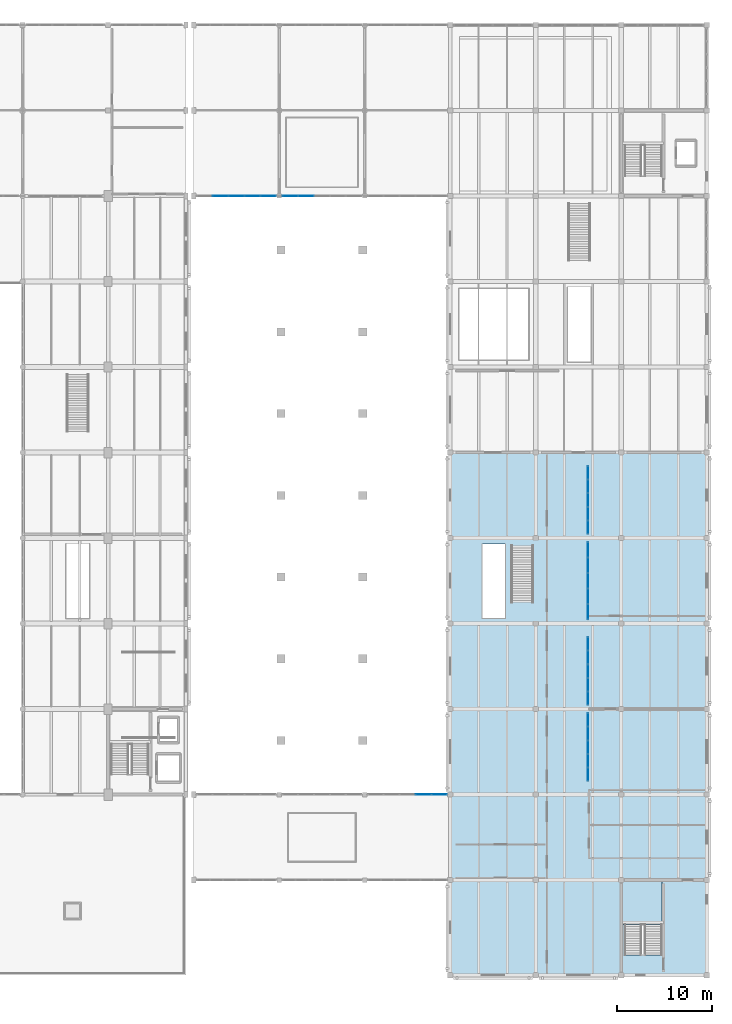
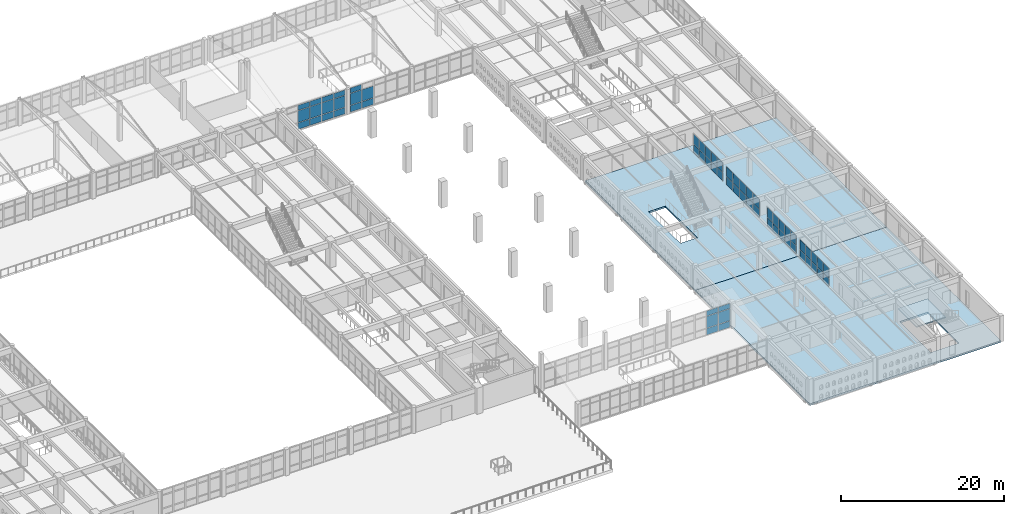
# One storey, part 120 of 156: 63 plates, 3 slabs, 8 elements without a shape of their own.
"""IFC4 building model written with IfcOpenShell, lengths in metres."""

from ifc_helpers import new_model, si_unit, direction, frame, origin, origin_2d, place, context, subcontext, project, spatial, polyline, rectangle, outline, extrude, material, layer, layer_set, type_object, element, aggregate, save


model = new_model("IFC4")

# Units and contexts
model_context = context("Model", 3, precision=1e-05, world=origin(), true_north=direction((0.0, 1.0)))
body_context = subcontext(model_context, "Body", "Model", "MODEL_VIEW")
ifc_project = project(units=[si_unit("LENGTHUNIT", "METRE"), si_unit("AREAUNIT", "SQUARE_METRE"), si_unit("VOLUMEUNIT", "CUBIC_METRE"), si_unit("PLANEANGLEUNIT", "RADIAN"), si_unit("MASSUNIT", "GRAM", prefix="KILO")], contexts=[model_context])

# Site, building, storey
site_placement = place(None, origin())
site = spatial("IfcSite", under=ifc_project, at=site_placement, CompositionType="ELEMENT")
building_placement = place(site_placement, origin())
building = spatial("IfcBuilding", under=site, at=building_placement, Name="Ornek Quay Market", CompositionType="ELEMENT")
storey_placement = place(building_placement, frame((0.0, 0.0, 4.5)))
storey = spatial("IfcBuildingStorey", under=building, at=storey_placement, Name="L01", CompositionType="ELEMENT", Elevation=4.5)

# Curtain wall, plates
ifc_material_1 = material(Name="Anodised bronze aluminium and triple low-e glass", Category="aluminium")
ifc_layer_1 = layer(ifc_material_1, 0.139892578125, Name="Anodised bronze aluminium and triple low-e glass", Category="aluminium")
ifc_layer_set_1 = layer_set([ifc_layer_1], Name="Anodised bronze aluminium and triple low-e glass")
curtain_wall_type_1 = type_object("IfcCurtainWallType", Name="CW-GALLERY-INT", PredefinedType="USERDEFINED", material=ifc_layer_set_1)
curtain_wall_1_placement = place(storey_placement, origin())
curtain_wall_1 = element("IfcCurtainWall", 1, at=curtain_wall_1_placement, inside=storey, type_object=curtain_wall_type_1, Name="Curtain wall CW-163", ObjectType="CURTAIN WALL", PredefinedType="USERDEFINED")
ifc_material_2 = material(Name="Toughened laminated acoustic glass", Category="glass")
ifc_layer_2 = layer(ifc_material_2, 0.01611328125, Name="Toughened laminated acoustic glass", Category="glass")
ifc_layer_set_2 = layer_set([ifc_layer_2], Name="Toughened laminated acoustic glass")
plate_type_1 = type_object("IfcPlateType", Name="PL-CW-INT-16", PredefinedType="CURTAIN_PANEL", material=ifc_layer_set_2)
plate_1_placement = place(storey_placement, frame((167.5, 31.135009765625, 0.06005859375), z_axis=(0.0, 0.0, 1.0), x_axis=(0.0, 1.0, 0.0)))
plate_1 = element("IfcPlate", 2, at=plate_1_placement, type_object=plate_type_1, Name="CW-163 panel 1.1", PredefinedType="CURTAIN_PANEL", context=body_context, shape_type="SweptSolid", body=[
    extrude(rectangle(XDim=1.35009765625, YDim=0.01611328125, at=origin_2d()), origin(), (0.0, 0.0, 1.0), 1.1923828125),
])
plate_2_placement = place(storey_placement, frame((167.5, 31.135009765625, 1.3125), z_axis=(0.0, 0.0, 1.0), x_axis=(0.0, 1.0, 0.0)))
plate_2 = element("IfcPlate", 3, at=plate_2_placement, type_object=plate_type_1, Name="CW-163 panel 1.2", PredefinedType="CURTAIN_PANEL", context=body_context, shape_type="SweptSolid", body=[
    extrude(rectangle(XDim=1.35009765625, YDim=0.01611328125, at=origin_2d()), origin(), (0.0, 0.0, 1.0), 1.4775390625),
])
plate_3_placement = place(storey_placement, frame((167.5, 32.56005859375, 0.06005859375), z_axis=(0.0, 0.0, 1.0), x_axis=(0.0, 1.0, 0.0)))
plate_3 = element("IfcPlate", 4, at=plate_3_placement, type_object=plate_type_1, Name="CW-163 panel 2.1", PredefinedType="CURTAIN_PANEL", context=body_context, shape_type="SweptSolid", body=[
    extrude(rectangle(XDim=1.3798828125, YDim=0.01611328125, at=origin_2d()), origin(), (0.0, 0.0, 1.0), 1.1923828125),
])
plate_4_placement = place(storey_placement, frame((167.5, 32.56005859375, 1.3125), z_axis=(0.0, 0.0, 1.0), x_axis=(0.0, 1.0, 0.0)))
plate_4 = element("IfcPlate", 5, at=plate_4_placement, type_object=plate_type_1, Name="CW-163 panel 2.2", PredefinedType="CURTAIN_PANEL", context=body_context, shape_type="SweptSolid", body=[
    extrude(rectangle(XDim=1.3798828125, YDim=0.01611328125, at=origin_2d()), origin(), (0.0, 0.0, 1.0), 1.4775390625),
])
plate_5_placement = place(storey_placement, frame((167.5, 34.0, 0.06005859375), z_axis=(0.0, 0.0, 1.0), x_axis=(0.0, 1.0, 0.0)))
plate_5 = element("IfcPlate", 6, at=plate_5_placement, type_object=plate_type_1, Name="CW-163 panel 3.1", PredefinedType="CURTAIN_PANEL", context=body_context, shape_type="SweptSolid", body=[
    extrude(rectangle(XDim=1.3798828125, YDim=0.01611328125, at=origin_2d()), origin(), (0.0, 0.0, 1.0), 1.1923828125),
])
plate_6_placement = place(storey_placement, frame((167.5, 34.0, 1.3125), z_axis=(0.0, 0.0, 1.0), x_axis=(0.0, 1.0, 0.0)))
plate_6 = element("IfcPlate", 7, at=plate_6_placement, type_object=plate_type_1, Name="CW-163 panel 3.2", PredefinedType="CURTAIN_PANEL", context=body_context, shape_type="SweptSolid", body=[
    extrude(rectangle(XDim=1.3798828125, YDim=0.01611328125, at=origin_2d()), origin(), (0.0, 0.0, 1.0), 1.4775390625),
])
plate_7_placement = place(storey_placement, frame((167.5, 35.43994140625, 0.06005859375), z_axis=(0.0, 0.0, 1.0), x_axis=(0.0, 1.0, 0.0)))
plate_7 = element("IfcPlate", 8, at=plate_7_placement, type_object=plate_type_1, Name="CW-163 panel 4.1", PredefinedType="CURTAIN_PANEL", context=body_context, shape_type="SweptSolid", body=[
    extrude(rectangle(XDim=1.3798828125, YDim=0.01611328125, at=origin_2d()), origin(), (0.0, 0.0, 1.0), 1.1923828125),
])
plate_8_placement = place(storey_placement, frame((167.5, 35.43994140625, 1.3125), z_axis=(0.0, 0.0, 1.0), x_axis=(0.0, 1.0, 0.0)))
plate_8 = element("IfcPlate", 9, at=plate_8_placement, type_object=plate_type_1, Name="CW-163 panel 4.2", PredefinedType="CURTAIN_PANEL", context=body_context, shape_type="SweptSolid", body=[
    extrude(rectangle(XDim=1.3798828125, YDim=0.01611328125, at=origin_2d()), origin(), (0.0, 0.0, 1.0), 1.4775390625),
])
plate_9_placement = place(storey_placement, frame((167.5, 36.864990234375, 0.06005859375), z_axis=(0.0, 0.0, 1.0), x_axis=(0.0, 1.0, 0.0)))
plate_9 = element("IfcPlate", 10, at=plate_9_placement, type_object=plate_type_1, Name="CW-163 panel 5.1", PredefinedType="CURTAIN_PANEL", context=body_context, shape_type="SweptSolid", body=[
    extrude(rectangle(XDim=1.35009765625, YDim=0.01611328125, at=origin_2d()), origin(), (0.0, 0.0, 1.0), 1.1923828125),
])
plate_10_placement = place(storey_placement, frame((167.5, 36.864990234375, 1.3125), z_axis=(0.0, 0.0, 1.0), x_axis=(0.0, 1.0, 0.0)))
plate_10 = element("IfcPlate", 11, at=plate_10_placement, type_object=plate_type_1, Name="CW-163 panel 5.2", PredefinedType="CURTAIN_PANEL", context=body_context, shape_type="SweptSolid", body=[
    extrude(rectangle(XDim=1.35009765625, YDim=0.01611328125, at=origin_2d()), origin(), (0.0, 0.0, 1.0), 1.4775390625),
])
aggregate(curtain_wall_1, [plate_1, plate_2, plate_3, plate_4, plate_5, plate_6, plate_7, plate_8, plate_9, plate_10])

curtain_wall_2_placement = place(storey_placement, origin())
curtain_wall_2 = element("IfcCurtainWall", 12, at=curtain_wall_2_placement, inside=storey, type_object=curtain_wall_type_1, Name="Curtain wall CW-164", ObjectType="CURTAIN WALL", PredefinedType="USERDEFINED")
plate_11_placement = place(storey_placement, frame((167.5, 39.135009765625, 0.06005859375), z_axis=(0.0, 0.0, 1.0), x_axis=(0.0, 1.0, 0.0)))
plate_11 = element("IfcPlate", 13, at=plate_11_placement, type_object=plate_type_1, Name="CW-164 panel 1.1", PredefinedType="CURTAIN_PANEL", context=body_context, shape_type="SweptSolid", body=[
    extrude(rectangle(XDim=1.35009765625, YDim=0.01611328125, at=origin_2d()), origin(), (0.0, 0.0, 1.0), 1.1923828125),
])
plate_12_placement = place(storey_placement, frame((167.5, 39.135009765625, 1.3125), z_axis=(0.0, 0.0, 1.0), x_axis=(0.0, 1.0, 0.0)))
plate_12 = element("IfcPlate", 14, at=plate_12_placement, type_object=plate_type_1, Name="CW-164 panel 1.2", PredefinedType="CURTAIN_PANEL", context=body_context, shape_type="SweptSolid", body=[
    extrude(rectangle(XDim=1.35009765625, YDim=0.01611328125, at=origin_2d()), origin(), (0.0, 0.0, 1.0), 1.4775390625),
])
plate_13_placement = place(storey_placement, frame((167.5, 40.56005859375, 0.06005859375), z_axis=(0.0, 0.0, 1.0), x_axis=(0.0, 1.0, 0.0)))
plate_13 = element("IfcPlate", 15, at=plate_13_placement, type_object=plate_type_1, Name="CW-164 panel 2.1", PredefinedType="CURTAIN_PANEL", context=body_context, shape_type="SweptSolid", body=[
    extrude(rectangle(XDim=1.3798828125, YDim=0.01611328125, at=origin_2d()), origin(), (0.0, 0.0, 1.0), 1.1923828125),
])
plate_14_placement = place(storey_placement, frame((167.5, 40.56005859375, 1.3125), z_axis=(0.0, 0.0, 1.0), x_axis=(0.0, 1.0, 0.0)))
plate_14 = element("IfcPlate", 16, at=plate_14_placement, type_object=plate_type_1, Name="CW-164 panel 2.2", PredefinedType="CURTAIN_PANEL", context=body_context, shape_type="SweptSolid", body=[
    extrude(rectangle(XDim=1.3798828125, YDim=0.01611328125, at=origin_2d()), origin(), (0.0, 0.0, 1.0), 1.4775390625),
])
plate_15_placement = place(storey_placement, frame((167.5, 42.0, 0.06005859375), z_axis=(0.0, 0.0, 1.0), x_axis=(0.0, 1.0, 0.0)))
plate_15 = element("IfcPlate", 17, at=plate_15_placement, type_object=plate_type_1, Name="CW-164 panel 3.1", PredefinedType="CURTAIN_PANEL", context=body_context, shape_type="SweptSolid", body=[
    extrude(rectangle(XDim=1.3798828125, YDim=0.01611328125, at=origin_2d()), origin(), (0.0, 0.0, 1.0), 1.1923828125),
])
plate_16_placement = place(storey_placement, frame((167.5, 42.0, 1.3125), z_axis=(0.0, 0.0, 1.0), x_axis=(0.0, 1.0, 0.0)))
plate_16 = element("IfcPlate", 18, at=plate_16_placement, type_object=plate_type_1, Name="CW-164 panel 3.2", PredefinedType="CURTAIN_PANEL", context=body_context, shape_type="SweptSolid", body=[
    extrude(rectangle(XDim=1.3798828125, YDim=0.01611328125, at=origin_2d()), origin(), (0.0, 0.0, 1.0), 1.4775390625),
])
plate_17_placement = place(storey_placement, frame((167.5, 43.43994140625, 0.06005859375), z_axis=(0.0, 0.0, 1.0), x_axis=(0.0, 1.0, 0.0)))
plate_17 = element("IfcPlate", 19, at=plate_17_placement, type_object=plate_type_1, Name="CW-164 panel 4.1", PredefinedType="CURTAIN_PANEL", context=body_context, shape_type="SweptSolid", body=[
    extrude(rectangle(XDim=1.3798828125, YDim=0.01611328125, at=origin_2d()), origin(), (0.0, 0.0, 1.0), 1.1923828125),
])
plate_18_placement = place(storey_placement, frame((167.5, 43.43994140625, 1.3125), z_axis=(0.0, 0.0, 1.0), x_axis=(0.0, 1.0, 0.0)))
plate_18 = element("IfcPlate", 20, at=plate_18_placement, type_object=plate_type_1, Name="CW-164 panel 4.2", PredefinedType="CURTAIN_PANEL", context=body_context, shape_type="SweptSolid", body=[
    extrude(rectangle(XDim=1.3798828125, YDim=0.01611328125, at=origin_2d()), origin(), (0.0, 0.0, 1.0), 1.4775390625),
])
plate_19_placement = place(storey_placement, frame((167.5, 44.864990234375, 0.06005859375), z_axis=(0.0, 0.0, 1.0), x_axis=(0.0, 1.0, 0.0)))
plate_19 = element("IfcPlate", 21, at=plate_19_placement, type_object=plate_type_1, Name="CW-164 panel 5.1", PredefinedType="CURTAIN_PANEL", context=body_context, shape_type="SweptSolid", body=[
    extrude(rectangle(XDim=1.35009765625, YDim=0.01611328125, at=origin_2d()), origin(), (0.0, 0.0, 1.0), 1.1923828125),
])
plate_20_placement = place(storey_placement, frame((167.5, 44.864990234375, 1.3125), z_axis=(0.0, 0.0, 1.0), x_axis=(0.0, 1.0, 0.0)))
plate_20 = element("IfcPlate", 22, at=plate_20_placement, type_object=plate_type_1, Name="CW-164 panel 5.2", PredefinedType="CURTAIN_PANEL", context=body_context, shape_type="SweptSolid", body=[
    extrude(rectangle(XDim=1.35009765625, YDim=0.01611328125, at=origin_2d()), origin(), (0.0, 0.0, 1.0), 1.4775390625),
])
aggregate(curtain_wall_2, [plate_11, plate_12, plate_13, plate_14, plate_15, plate_16, plate_17, plate_18, plate_19, plate_20])

curtain_wall_3_placement = place(storey_placement, origin())
curtain_wall_3 = element("IfcCurtainWall", 23, at=curtain_wall_3_placement, inside=storey, type_object=curtain_wall_type_1, Name="Curtain wall CW-165", ObjectType="CURTAIN WALL", PredefinedType="USERDEFINED")
plate_21_placement = place(storey_placement, frame((167.5, 48.235107421875, 0.06005859375), z_axis=(0.0, 0.0, 1.0), x_axis=(0.0, 1.0, 0.0)))
plate_21 = element("IfcPlate", 24, at=plate_21_placement, type_object=plate_type_1, Name="CW-165 panel 1.1", PredefinedType="CURTAIN_PANEL", context=body_context, shape_type="SweptSolid", body=[
    extrude(rectangle(XDim=1.550048828125, YDim=0.01611328125, at=origin_2d()), origin(), (0.0, 0.0, 1.0), 1.1923828125),
])
plate_22_placement = place(storey_placement, frame((167.5, 48.235107421875, 1.3125), z_axis=(0.0, 0.0, 1.0), x_axis=(0.0, 1.0, 0.0)))
plate_22 = element("IfcPlate", 25, at=plate_22_placement, type_object=plate_type_1, Name="CW-165 panel 1.2", PredefinedType="CURTAIN_PANEL", context=body_context, shape_type="SweptSolid", body=[
    extrude(rectangle(XDim=1.550048828125, YDim=0.01611328125, at=origin_2d()), origin(), (0.0, 0.0, 1.0), 1.4775390625),
])
plate_23_placement = place(storey_placement, frame((167.5, 49.860107421875, 0.06005859375), z_axis=(0.0, 0.0, 1.0), x_axis=(0.0, 1.0, 0.0)))
plate_23 = element("IfcPlate", 26, at=plate_23_placement, type_object=plate_type_1, Name="CW-165 panel 2.1", PredefinedType="CURTAIN_PANEL", context=body_context, shape_type="SweptSolid", body=[
    extrude(rectangle(XDim=1.580078125, YDim=0.01611328125, at=origin_2d()), origin(), (0.0, 0.0, 1.0), 1.1923828125),
])
plate_24_placement = place(storey_placement, frame((167.5, 49.860107421875, 1.3125), z_axis=(0.0, 0.0, 1.0), x_axis=(0.0, 1.0, 0.0)))
plate_24 = element("IfcPlate", 27, at=plate_24_placement, type_object=plate_type_1, Name="CW-165 panel 2.2", PredefinedType="CURTAIN_PANEL", context=body_context, shape_type="SweptSolid", body=[
    extrude(rectangle(XDim=1.580078125, YDim=0.01611328125, at=origin_2d()), origin(), (0.0, 0.0, 1.0), 1.4775390625),
])
plate_25_placement = place(storey_placement, frame((167.5, 51.5, 0.06005859375), z_axis=(0.0, 0.0, 1.0), x_axis=(0.0, 1.0, 0.0)))
plate_25 = element("IfcPlate", 28, at=plate_25_placement, type_object=plate_type_1, Name="CW-165 panel 3.1", PredefinedType="CURTAIN_PANEL", context=body_context, shape_type="SweptSolid", body=[
    extrude(rectangle(XDim=1.580078125, YDim=0.01611328125, at=origin_2d()), origin(), (0.0, 0.0, 1.0), 1.1923828125),
])
plate_26_placement = place(storey_placement, frame((167.5, 51.5, 1.3125), z_axis=(0.0, 0.0, 1.0), x_axis=(0.0, 1.0, 0.0)))
plate_26 = element("IfcPlate", 29, at=plate_26_placement, type_object=plate_type_1, Name="CW-165 panel 3.2", PredefinedType="CURTAIN_PANEL", context=body_context, shape_type="SweptSolid", body=[
    extrude(rectangle(XDim=1.580078125, YDim=0.01611328125, at=origin_2d()), origin(), (0.0, 0.0, 1.0), 1.4775390625),
])
plate_27_placement = place(storey_placement, frame((167.5, 53.139892578125, 0.06005859375), z_axis=(0.0, 0.0, 1.0), x_axis=(0.0, 1.0, 0.0)))
plate_27 = element("IfcPlate", 30, at=plate_27_placement, type_object=plate_type_1, Name="CW-165 panel 4.1", PredefinedType="CURTAIN_PANEL", context=body_context, shape_type="SweptSolid", body=[
    extrude(rectangle(XDim=1.580078125, YDim=0.01611328125, at=origin_2d()), origin(), (0.0, 0.0, 1.0), 1.1923828125),
])
plate_28_placement = place(storey_placement, frame((167.5, 53.139892578125, 1.3125), z_axis=(0.0, 0.0, 1.0), x_axis=(0.0, 1.0, 0.0)))
plate_28 = element("IfcPlate", 31, at=plate_28_placement, type_object=plate_type_1, Name="CW-165 panel 4.2", PredefinedType="CURTAIN_PANEL", context=body_context, shape_type="SweptSolid", body=[
    extrude(rectangle(XDim=1.580078125, YDim=0.01611328125, at=origin_2d()), origin(), (0.0, 0.0, 1.0), 1.4775390625),
])
plate_29_placement = place(storey_placement, frame((167.5, 54.764892578125, 0.06005859375), z_axis=(0.0, 0.0, 1.0), x_axis=(0.0, 1.0, 0.0)))
plate_29 = element("IfcPlate", 32, at=plate_29_placement, type_object=plate_type_1, Name="CW-165 panel 5.1", PredefinedType="CURTAIN_PANEL", context=body_context, shape_type="SweptSolid", body=[
    extrude(rectangle(XDim=1.550048828125, YDim=0.01611328125, at=origin_2d()), origin(), (0.0, 0.0, 1.0), 1.1923828125),
])
plate_30_placement = place(storey_placement, frame((167.5, 54.764892578125, 1.3125), z_axis=(0.0, 0.0, 1.0), x_axis=(0.0, 1.0, 0.0)))
plate_30 = element("IfcPlate", 33, at=plate_30_placement, type_object=plate_type_1, Name="CW-165 panel 5.2", PredefinedType="CURTAIN_PANEL", context=body_context, shape_type="SweptSolid", body=[
    extrude(rectangle(XDim=1.550048828125, YDim=0.01611328125, at=origin_2d()), origin(), (0.0, 0.0, 1.0), 1.4775390625),
])
aggregate(curtain_wall_3, [plate_21, plate_22, plate_23, plate_24, plate_25, plate_26, plate_27, plate_28, plate_29, plate_30])

curtain_wall_4_placement = place(storey_placement, origin())
curtain_wall_4 = element("IfcCurtainWall", 34, at=curtain_wall_4_placement, inside=storey, type_object=curtain_wall_type_1, Name="Curtain wall CW-166", ObjectType="CURTAIN WALL", PredefinedType="USERDEFINED")
plate_31_placement = place(storey_placement, frame((167.5, 57.135009765625, 0.06005859375), z_axis=(0.0, 0.0, 1.0), x_axis=(0.0, 1.0, 0.0)))
plate_31 = element("IfcPlate", 35, at=plate_31_placement, type_object=plate_type_1, Name="CW-166 panel 1.1", PredefinedType="CURTAIN_PANEL", context=body_context, shape_type="SweptSolid", body=[
    extrude(rectangle(XDim=1.35009765625, YDim=0.01611328125, at=origin_2d()), origin(), (0.0, 0.0, 1.0), 1.1923828125),
])
plate_32_placement = place(storey_placement, frame((167.5, 57.135009765625, 1.3125), z_axis=(0.0, 0.0, 1.0), x_axis=(0.0, 1.0, 0.0)))
plate_32 = element("IfcPlate", 36, at=plate_32_placement, type_object=plate_type_1, Name="CW-166 panel 1.2", PredefinedType="CURTAIN_PANEL", context=body_context, shape_type="SweptSolid", body=[
    extrude(rectangle(XDim=1.35009765625, YDim=0.01611328125, at=origin_2d()), origin(), (0.0, 0.0, 1.0), 1.4775390625),
])
plate_33_placement = place(storey_placement, frame((167.5, 58.56005859375, 0.06005859375), z_axis=(0.0, 0.0, 1.0), x_axis=(0.0, 1.0, 0.0)))
plate_33 = element("IfcPlate", 37, at=plate_33_placement, type_object=plate_type_1, Name="CW-166 panel 2.1", PredefinedType="CURTAIN_PANEL", context=body_context, shape_type="SweptSolid", body=[
    extrude(rectangle(XDim=1.3798828125, YDim=0.01611328125, at=origin_2d()), origin(), (0.0, 0.0, 1.0), 1.1923828125),
])
plate_34_placement = place(storey_placement, frame((167.5, 58.56005859375, 1.3125), z_axis=(0.0, 0.0, 1.0), x_axis=(0.0, 1.0, 0.0)))
plate_34 = element("IfcPlate", 38, at=plate_34_placement, type_object=plate_type_1, Name="CW-166 panel 2.2", PredefinedType="CURTAIN_PANEL", context=body_context, shape_type="SweptSolid", body=[
    extrude(rectangle(XDim=1.3798828125, YDim=0.01611328125, at=origin_2d()), origin(), (0.0, 0.0, 1.0), 1.4775390625),
])
plate_35_placement = place(storey_placement, frame((167.5, 60.0, 0.06005859375), z_axis=(0.0, 0.0, 1.0), x_axis=(0.0, 1.0, 0.0)))
plate_35 = element("IfcPlate", 39, at=plate_35_placement, type_object=plate_type_1, Name="CW-166 panel 3.1", PredefinedType="CURTAIN_PANEL", context=body_context, shape_type="SweptSolid", body=[
    extrude(rectangle(XDim=1.3798828125, YDim=0.01611328125, at=origin_2d()), origin(), (0.0, 0.0, 1.0), 1.1923828125),
])
plate_36_placement = place(storey_placement, frame((167.5, 60.0, 1.3125), z_axis=(0.0, 0.0, 1.0), x_axis=(0.0, 1.0, 0.0)))
plate_36 = element("IfcPlate", 40, at=plate_36_placement, type_object=plate_type_1, Name="CW-166 panel 3.2", PredefinedType="CURTAIN_PANEL", context=body_context, shape_type="SweptSolid", body=[
    extrude(rectangle(XDim=1.3798828125, YDim=0.01611328125, at=origin_2d()), origin(), (0.0, 0.0, 1.0), 1.4775390625),
])
plate_37_placement = place(storey_placement, frame((167.5, 61.43994140625, 0.06005859375), z_axis=(0.0, 0.0, 1.0), x_axis=(0.0, 1.0, 0.0)))
plate_37 = element("IfcPlate", 41, at=plate_37_placement, type_object=plate_type_1, Name="CW-166 panel 4.1", PredefinedType="CURTAIN_PANEL", context=body_context, shape_type="SweptSolid", body=[
    extrude(rectangle(XDim=1.3798828125, YDim=0.01611328125, at=origin_2d()), origin(), (0.0, 0.0, 1.0), 1.1923828125),
])
plate_38_placement = place(storey_placement, frame((167.5, 61.43994140625, 1.3125), z_axis=(0.0, 0.0, 1.0), x_axis=(0.0, 1.0, 0.0)))
plate_38 = element("IfcPlate", 42, at=plate_38_placement, type_object=plate_type_1, Name="CW-166 panel 4.2", PredefinedType="CURTAIN_PANEL", context=body_context, shape_type="SweptSolid", body=[
    extrude(rectangle(XDim=1.3798828125, YDim=0.01611328125, at=origin_2d()), origin(), (0.0, 0.0, 1.0), 1.4775390625),
])
plate_39_placement = place(storey_placement, frame((167.5, 62.864990234375, 0.06005859375), z_axis=(0.0, 0.0, 1.0), x_axis=(0.0, 1.0, 0.0)))
plate_39 = element("IfcPlate", 43, at=plate_39_placement, type_object=plate_type_1, Name="CW-166 panel 5.1", PredefinedType="CURTAIN_PANEL", context=body_context, shape_type="SweptSolid", body=[
    extrude(rectangle(XDim=1.35009765625, YDim=0.01611328125, at=origin_2d()), origin(), (0.0, 0.0, 1.0), 1.1923828125),
])
plate_40_placement = place(storey_placement, frame((167.5, 62.864990234375, 1.3125), z_axis=(0.0, 0.0, 1.0), x_axis=(0.0, 1.0, 0.0)))
plate_40 = element("IfcPlate", 44, at=plate_40_placement, type_object=plate_type_1, Name="CW-166 panel 5.2", PredefinedType="CURTAIN_PANEL", context=body_context, shape_type="SweptSolid", body=[
    extrude(rectangle(XDim=1.35009765625, YDim=0.01611328125, at=origin_2d()), origin(), (0.0, 0.0, 1.0), 1.4775390625),
])
aggregate(curtain_wall_4, [plate_31, plate_32, plate_33, plate_34, plate_35, plate_36, plate_37, plate_38, plate_39, plate_40])

ifc_layer_3 = layer(ifc_material_1, 0.199951171875, Name="Anodised bronze aluminium and triple low-e glass", Category="aluminium")
ifc_layer_set_3 = layer_set([ifc_layer_3], Name="Anodised bronze aluminium and triple low-e glass")
curtain_wall_type_2 = type_object("IfcCurtainWallType", Name="CW-CONC-MOD1800", PredefinedType="USERDEFINED", material=ifc_layer_set_3)
curtain_wall_5_placement = place(storey_placement, origin())
curtain_wall_5 = element("IfcCurtainWall", 45, at=curtain_wall_5_placement, inside=storey, type_object=curtain_wall_type_2, Name="Curtain wall CW-034", ObjectType="CURTAIN WALL", PredefinedType="USERDEFINED")
ifc_material_3 = material(Name="Triple insulated low-e glass", Category="glass")
ifc_layer_4 = layer(ifc_material_3, 0.0419921875, Name="Triple insulated low-e glass", Category="glass")
ifc_layer_set_4 = layer_set([ifc_layer_4], Name="Triple insulated low-e glass")
plate_type_2 = type_object("IfcPlateType", Name="PL-CW-TRIPLE-42", PredefinedType="CURTAIN_PANEL", material=ifc_layer_set_4)
plate_41_placement = place(storey_placement, frame((128.820068359375, 92.0, 0.06494140625), z_axis=(0.0, 0.0, 1.0), x_axis=(1.0, 0.0, 0.0)))
plate_41 = element("IfcPlate", 46, at=plate_41_placement, type_object=plate_type_2, Name="CW-034 panel 2.1", PredefinedType="CURTAIN_PANEL", context=body_context, shape_type="SweptSolid", body=[
    extrude(rectangle(XDim=1.614990234375, YDim=0.0419921875, at=origin_2d()), origin(), (0.0, 0.0, 1.0), 0.952392578125),
])
plate_42_placement = place(storey_placement, frame((128.820068359375, 92.0, 1.08251953125), z_axis=(0.0, 0.0, 1.0), x_axis=(1.0, 0.0, 0.0)))
plate_42 = element("IfcPlate", 47, at=plate_42_placement, type_object=plate_type_2, Name="CW-034 panel 2.2", PredefinedType="CURTAIN_PANEL", context=body_context, shape_type="SweptSolid", body=[
    extrude(rectangle(XDim=1.614990234375, YDim=0.0419921875, at=origin_2d()), origin(), (0.0, 0.0, 1.0), 1.7451171875),
])
plate_43_placement = place(storey_placement, frame((128.820068359375, 92.0, 2.892578125), z_axis=(0.0, 0.0, 1.0), x_axis=(1.0, 0.0, 0.0)))
plate_43 = element("IfcPlate", 48, at=plate_43_placement, type_object=plate_type_2, Name="CW-034 panel 2.3", PredefinedType="CURTAIN_PANEL", context=body_context, shape_type="SweptSolid", body=[
    extrude(rectangle(XDim=1.614990234375, YDim=0.0419921875, at=origin_2d()), origin(), (0.0, 0.0, 1.0), 0.75244140625),
])
plate_44_placement = place(storey_placement, frame((130.5, 92.0, 0.06494140625), z_axis=(0.0, 0.0, 1.0), x_axis=(1.0, 0.0, 0.0)))
plate_44 = element("IfcPlate", 49, at=plate_44_placement, type_object=plate_type_2, Name="CW-034 panel 3.1", PredefinedType="CURTAIN_PANEL", context=body_context, shape_type="SweptSolid", body=[
    extrude(rectangle(XDim=1.614990234375, YDim=0.0419921875, at=origin_2d()), origin(), (0.0, 0.0, 1.0), 0.952392578125),
])
plate_45_placement = place(storey_placement, frame((130.5, 92.0, 1.08251953125), z_axis=(0.0, 0.0, 1.0), x_axis=(1.0, 0.0, 0.0)))
plate_45 = element("IfcPlate", 50, at=plate_45_placement, type_object=plate_type_2, Name="CW-034 panel 3.2", PredefinedType="CURTAIN_PANEL", context=body_context, shape_type="SweptSolid", body=[
    extrude(rectangle(XDim=1.614990234375, YDim=0.0419921875, at=origin_2d()), origin(), (0.0, 0.0, 1.0), 1.7451171875),
])
plate_46_placement = place(storey_placement, frame((130.5, 92.0, 2.892578125), z_axis=(0.0, 0.0, 1.0), x_axis=(1.0, 0.0, 0.0)))
plate_46 = element("IfcPlate", 51, at=plate_46_placement, type_object=plate_type_2, Name="CW-034 panel 3.3", PredefinedType="CURTAIN_PANEL", context=body_context, shape_type="SweptSolid", body=[
    extrude(rectangle(XDim=1.614990234375, YDim=0.0419921875, at=origin_2d()), origin(), (0.0, 0.0, 1.0), 0.75244140625),
])
plate_47_placement = place(storey_placement, frame((132.179931640625, 92.0, 0.06494140625), z_axis=(0.0, 0.0, 1.0), x_axis=(1.0, 0.0, 0.0)))
plate_47 = element("IfcPlate", 52, at=plate_47_placement, type_object=plate_type_2, Name="CW-034 panel 4.1", PredefinedType="CURTAIN_PANEL", context=body_context, shape_type="SweptSolid", body=[
    extrude(rectangle(XDim=1.614990234375, YDim=0.0419921875, at=origin_2d()), origin(), (0.0, 0.0, 1.0), 0.952392578125),
])
plate_48_placement = place(storey_placement, frame((132.179931640625, 92.0, 1.08251953125), z_axis=(0.0, 0.0, 1.0), x_axis=(1.0, 0.0, 0.0)))
plate_48 = element("IfcPlate", 53, at=plate_48_placement, type_object=plate_type_2, Name="CW-034 panel 4.2", PredefinedType="CURTAIN_PANEL", context=body_context, shape_type="SweptSolid", body=[
    extrude(rectangle(XDim=1.614990234375, YDim=0.0419921875, at=origin_2d()), origin(), (0.0, 0.0, 1.0), 1.7451171875),
])
plate_49_placement = place(storey_placement, frame((132.179931640625, 92.0, 2.892578125), z_axis=(0.0, 0.0, 1.0), x_axis=(1.0, 0.0, 0.0)))
plate_49 = element("IfcPlate", 54, at=plate_49_placement, type_object=plate_type_2, Name="CW-034 panel 4.3", PredefinedType="CURTAIN_PANEL", context=body_context, shape_type="SweptSolid", body=[
    extrude(rectangle(XDim=1.614990234375, YDim=0.0419921875, at=origin_2d()), origin(), (0.0, 0.0, 1.0), 0.75244140625),
])
plate_50_placement = place(storey_placement, frame((133.84375, 92.0, 0.06494140625), z_axis=(0.0, 0.0, 1.0), x_axis=(1.0, 0.0, 0.0)))
plate_50 = element("IfcPlate", 55, at=plate_50_placement, type_object=plate_type_2, Name="CW-034 panel 5.1", PredefinedType="CURTAIN_PANEL", context=body_context, shape_type="SweptSolid", body=[
    extrude(rectangle(XDim=1.58251953125, YDim=0.0419921875, at=origin_2d()), origin(), (0.0, 0.0, 1.0), 0.952392578125),
])
plate_51_placement = place(storey_placement, frame((133.84375, 92.0, 1.08251953125), z_axis=(0.0, 0.0, 1.0), x_axis=(1.0, 0.0, 0.0)))
plate_51 = element("IfcPlate", 56, at=plate_51_placement, type_object=plate_type_2, Name="CW-034 panel 5.2", PredefinedType="CURTAIN_PANEL", context=body_context, shape_type="SweptSolid", body=[
    extrude(rectangle(XDim=1.58251953125, YDim=0.0419921875, at=origin_2d()), origin(), (0.0, 0.0, 1.0), 1.7451171875),
])
plate_52_placement = place(storey_placement, frame((133.84375, 92.0, 2.892578125), z_axis=(0.0, 0.0, 1.0), x_axis=(1.0, 0.0, 0.0)))
plate_52 = element("IfcPlate", 57, at=plate_52_placement, type_object=plate_type_2, Name="CW-034 panel 5.3", PredefinedType="CURTAIN_PANEL", context=body_context, shape_type="SweptSolid", body=[
    extrude(rectangle(XDim=1.58251953125, YDim=0.0419921875, at=origin_2d()), origin(), (0.0, 0.0, 1.0), 0.75244140625),
])
aggregate(curtain_wall_5, [plate_41, plate_42, plate_43, plate_44, plate_45, plate_46, plate_47, plate_48, plate_49, plate_50, plate_51, plate_52])

curtain_wall_6_placement = place(storey_placement, origin())
curtain_wall_6 = element("IfcCurtainWall", 58, at=curtain_wall_6_placement, inside=storey, type_object=curtain_wall_type_2, Name="Curtain wall CW-038", ObjectType="CURTAIN WALL", PredefinedType="USERDEFINED")
plate_53_placement = place(storey_placement, frame((136.15625, 92.0, 0.06494140625), z_axis=(0.0, 0.0, 1.0), x_axis=(1.0, 0.0, 0.0)))
plate_53 = element("IfcPlate", 59, at=plate_53_placement, type_object=plate_type_2, Name="CW-038 panel 1.1", PredefinedType="CURTAIN_PANEL", context=body_context, shape_type="SweptSolid", body=[
    extrude(rectangle(XDim=1.58251953125, YDim=0.0419921875, at=origin_2d()), origin(), (0.0, 0.0, 1.0), 0.952392578125),
])
plate_54_placement = place(storey_placement, frame((136.15625, 92.0, 1.08251953125), z_axis=(0.0, 0.0, 1.0), x_axis=(1.0, 0.0, 0.0)))
plate_54 = element("IfcPlate", 60, at=plate_54_placement, type_object=plate_type_2, Name="CW-038 panel 1.2", PredefinedType="CURTAIN_PANEL", context=body_context, shape_type="SweptSolid", body=[
    extrude(rectangle(XDim=1.58251953125, YDim=0.0419921875, at=origin_2d()), origin(), (0.0, 0.0, 1.0), 1.7451171875),
])
plate_55_placement = place(storey_placement, frame((136.15625, 92.0, 2.892578125), z_axis=(0.0, 0.0, 1.0), x_axis=(1.0, 0.0, 0.0)))
plate_55 = element("IfcPlate", 61, at=plate_55_placement, type_object=plate_type_2, Name="CW-038 panel 1.3", PredefinedType="CURTAIN_PANEL", context=body_context, shape_type="SweptSolid", body=[
    extrude(rectangle(XDim=1.58251953125, YDim=0.0419921875, at=origin_2d()), origin(), (0.0, 0.0, 1.0), 0.75244140625),
])
plate_56_placement = place(storey_placement, frame((137.820068359375, 92.0, 0.06494140625), z_axis=(0.0, 0.0, 1.0), x_axis=(1.0, 0.0, 0.0)))
plate_56 = element("IfcPlate", 62, at=plate_56_placement, type_object=plate_type_2, Name="CW-038 panel 2.1", PredefinedType="CURTAIN_PANEL", context=body_context, shape_type="SweptSolid", body=[
    extrude(rectangle(XDim=1.614990234375, YDim=0.0419921875, at=origin_2d()), origin(), (0.0, 0.0, 1.0), 0.952392578125),
])
plate_57_placement = place(storey_placement, frame((137.820068359375, 92.0, 1.08251953125), z_axis=(0.0, 0.0, 1.0), x_axis=(1.0, 0.0, 0.0)))
plate_57 = element("IfcPlate", 63, at=plate_57_placement, type_object=plate_type_2, Name="CW-038 panel 2.2", PredefinedType="CURTAIN_PANEL", context=body_context, shape_type="SweptSolid", body=[
    extrude(rectangle(XDim=1.614990234375, YDim=0.0419921875, at=origin_2d()), origin(), (0.0, 0.0, 1.0), 1.7451171875),
])
aggregate(curtain_wall_6, [plate_53, plate_54, plate_55, plate_56, plate_57])

curtain_wall_7_placement = place(storey_placement, origin())
curtain_wall_7 = element("IfcCurtainWall", 64, at=curtain_wall_7_placement, inside=storey, type_object=curtain_wall_type_2, Name="Curtain wall CW-043", ObjectType="CURTAIN WALL", PredefinedType="USERDEFINED")
plate_58_placement = place(storey_placement, frame((150.179931640625, 29.0, 0.06494140625), z_axis=(0.0, 0.0, 1.0), x_axis=(1.0, 0.0, 0.0)))
plate_58 = element("IfcPlate", 65, at=plate_58_placement, type_object=plate_type_2, Name="CW-043 panel 4.1", PredefinedType="CURTAIN_PANEL", context=body_context, shape_type="SweptSolid", body=[
    extrude(rectangle(XDim=1.614990234375, YDim=0.0419921875, at=origin_2d()), origin(), (0.0, 0.0, 1.0), 0.952392578125),
])
plate_59_placement = place(storey_placement, frame((150.179931640625, 29.0, 1.08251953125), z_axis=(0.0, 0.0, 1.0), x_axis=(1.0, 0.0, 0.0)))
plate_59 = element("IfcPlate", 66, at=plate_59_placement, type_object=plate_type_2, Name="CW-043 panel 4.2", PredefinedType="CURTAIN_PANEL", context=body_context, shape_type="SweptSolid", body=[
    extrude(rectangle(XDim=1.614990234375, YDim=0.0419921875, at=origin_2d()), origin(), (0.0, 0.0, 1.0), 1.7451171875),
])
plate_60_placement = place(storey_placement, frame((150.179931640625, 29.0, 2.892578125), z_axis=(0.0, 0.0, 1.0), x_axis=(1.0, 0.0, 0.0)))
plate_60 = element("IfcPlate", 67, at=plate_60_placement, type_object=plate_type_2, Name="CW-043 panel 4.3", PredefinedType="CURTAIN_PANEL", context=body_context, shape_type="SweptSolid", body=[
    extrude(rectangle(XDim=1.614990234375, YDim=0.0419921875, at=origin_2d()), origin(), (0.0, 0.0, 1.0), 0.75244140625),
])
plate_61_placement = place(storey_placement, frame((151.84375, 29.0, 0.06494140625), z_axis=(0.0, 0.0, 1.0), x_axis=(1.0, 0.0, 0.0)))
plate_61 = element("IfcPlate", 68, at=plate_61_placement, type_object=plate_type_2, Name="CW-043 panel 5.1", PredefinedType="CURTAIN_PANEL", context=body_context, shape_type="SweptSolid", body=[
    extrude(rectangle(XDim=1.58251953125, YDim=0.0419921875, at=origin_2d()), origin(), (0.0, 0.0, 1.0), 0.952392578125),
])
plate_62_placement = place(storey_placement, frame((151.84375, 29.0, 1.08251953125), z_axis=(0.0, 0.0, 1.0), x_axis=(1.0, 0.0, 0.0)))
plate_62 = element("IfcPlate", 69, at=plate_62_placement, type_object=plate_type_2, Name="CW-043 panel 5.2", PredefinedType="CURTAIN_PANEL", context=body_context, shape_type="SweptSolid", body=[
    extrude(rectangle(XDim=1.58251953125, YDim=0.0419921875, at=origin_2d()), origin(), (0.0, 0.0, 1.0), 1.7451171875),
])
plate_63_placement = place(storey_placement, frame((151.84375, 29.0, 2.892578125), z_axis=(0.0, 0.0, 1.0), x_axis=(1.0, 0.0, 0.0)))
plate_63 = element("IfcPlate", 70, at=plate_63_placement, type_object=plate_type_2, Name="CW-043 panel 5.3", PredefinedType="CURTAIN_PANEL", context=body_context, shape_type="SweptSolid", body=[
    extrude(rectangle(XDim=1.58251953125, YDim=0.0419921875, at=origin_2d()), origin(), (0.0, 0.0, 1.0), 0.75244140625),
])
aggregate(curtain_wall_7, [plate_58, plate_59, plate_60, plate_61, plate_62, plate_63])

# Slabs
ifc_material_4 = material(Name="Concrete C35/45", Category="concrete")
ifc_layer_5 = layer(ifc_material_4, 0.25, Name="Concrete C35/45", Category="concrete")
ifc_layer_set_5 = layer_set([ifc_layer_5], Name="Concrete C35/45")
slab_type_1 = type_object("IfcSlabType", Name="SL-FLR-CS-250", PredefinedType="FLOOR", material=ifc_layer_set_5)
slab_1_placement = place(storey_placement, frame((0.0, 0.0, -0.25)))
element("IfcSlab", 71, at=slab_1_placement, inside=storey, type_object=slab_type_1, Name="Slab S-037 (L01)", PredefinedType="FLOOR", context=body_context, shape_type="SweptSolid", body=[
    extrude(outline(polyline([(153.0, 10.0), (180.0, 10.0), (180.0, 38.0), (153.0, 38.0), (153.0, 10.0)]), holes=[polyline([(171.300048828125, 19.699951171875), (175.300048828125, 19.699951171875), (175.300048828125, 12.10009765625), (171.300048828125, 12.10009765625), (171.300048828125, 19.699951171875)])]), origin(), (0.0, 0.0, 1.0), 0.25),
])
slab_2_placement = place(storey_placement, frame((0.0, 0.0, -0.25)))
element("IfcSlab", 72, at=slab_2_placement, inside=storey, type_object=slab_type_1, Name="Slab S-038 (L01)", PredefinedType="FLOOR", context=body_context, shape_type="SweptSolid", body=[
    extrude(outline(polyline([(153.0, 38.0), (180.0, 38.0), (180.0, 65.0), (153.0, 65.0), (153.0, 38.0)]), holes=[polyline([(156.39990234375, 55.39990234375), (158.800048828125, 55.39990234375), (158.800048828125, 47.60009765625), (156.39990234375, 47.60009765625), (156.39990234375, 55.39990234375)])]), origin(), (0.0, 0.0, 1.0), 0.25),
])

# Stair, slab
ifc_material_5 = material(Name="Precast concrete C40/50", Category="concrete")
stair_type = type_object("IfcStairType", Name="ST-CORE-L01-L02", PredefinedType="HALF_TURN_STAIR", material=ifc_material_5)
stair_placement = place(storey_placement, origin())
stair = element("IfcStair", 73, at=stair_placement, inside=storey, type_object=stair_type, Name="Core stair ST-06-L01 (L01 to L02)", PredefinedType="HALF_TURN_STAIR")
ifc_layer_6 = layer(ifc_material_5, 0.1650390625, Name="Precast concrete C40/50", Category="concrete")
ifc_layer_set_6 = layer_set([ifc_layer_6], Name="Precast concrete C40/50")
slab_type_2 = type_object("IfcSlabType", Name="SL-LND-165", PredefinedType="LANDING", material=ifc_layer_set_6)
slab_3_placement = place(storey_placement, frame((0.0, 0.0, 1.784912109375)))
slab_3 = element("IfcSlab", 74, at=slab_3_placement, type_object=slab_type_2, Name="ST-06-L01 landing 1", PredefinedType="LANDING", context=body_context, shape_type="SweptSolid", body=[
    extrude(outline(polyline([(171.159912109375, 15.342041015625), (175.300048828125, 15.342041015625), (175.300048828125, 19.840087890625), (171.159912109375, 19.840087890625), (171.159912109375, 15.342041015625)])), origin(), (0.0, 0.0, 1.0), 0.1650390625),
])
aggregate(stair, [slab_3])

save(model, "model.ifc")
